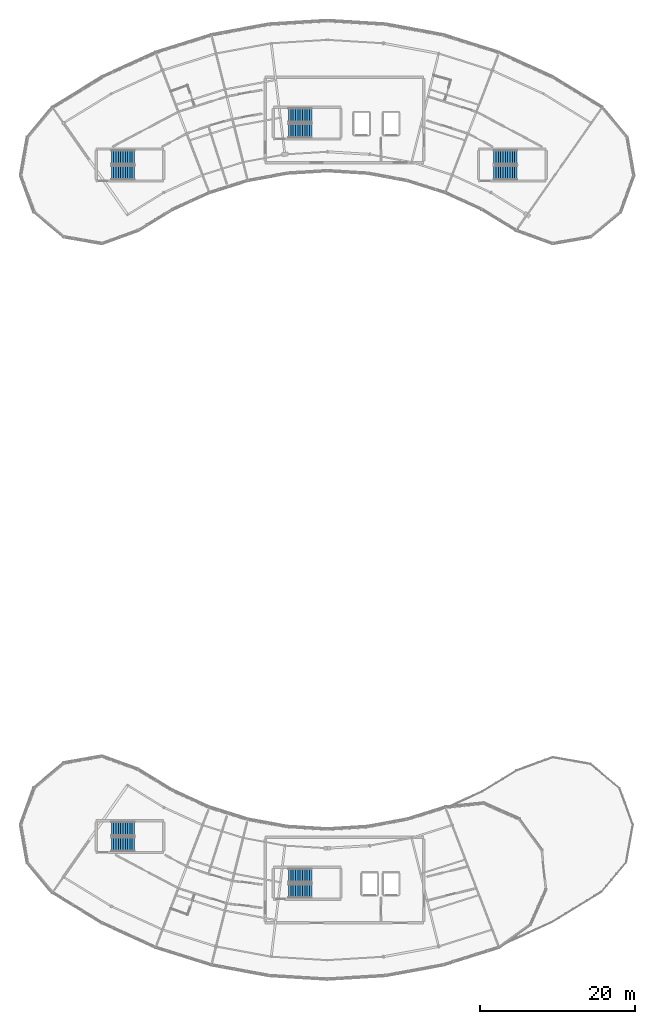
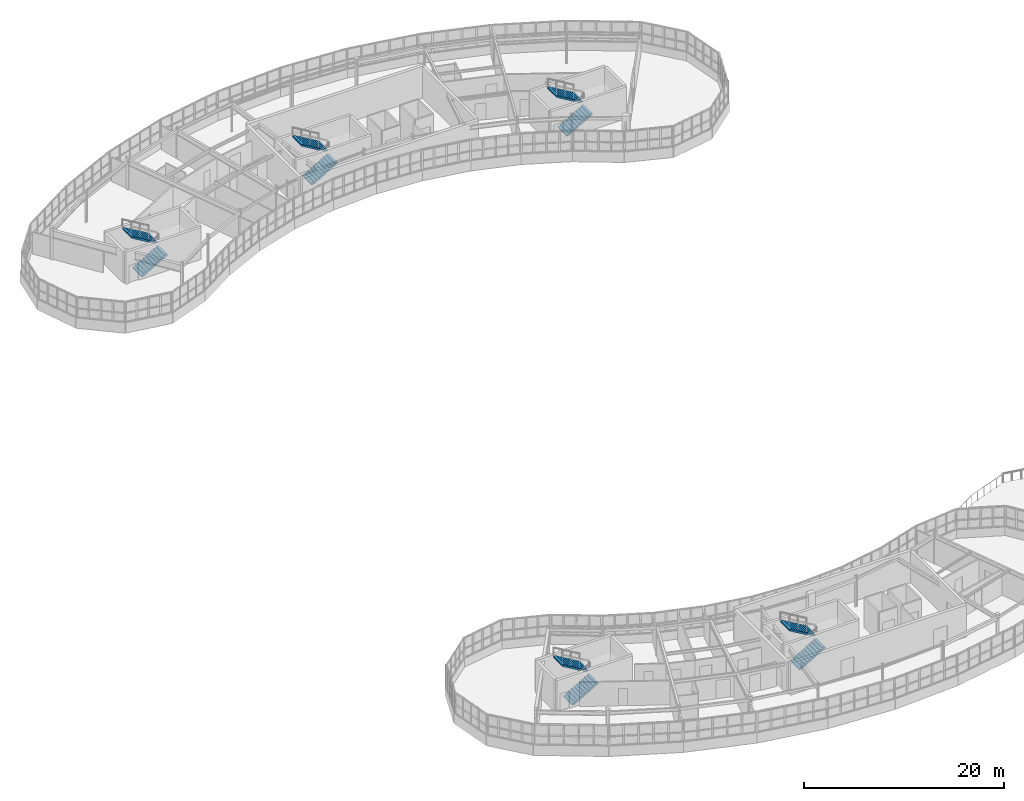
# One storey, part 57 of 65: 10 stair flights, 5 elements without a shape of their own.
"""IFC4 building model written with IfcOpenShell, lengths in metres."""

from ifc_helpers import new_model, si_unit, direction, frame, origin, place, context, subcontext, project, spatial, polyline, outline, extrude, material, type_object, element, aggregate, save


model = new_model("IFC4")

# Units and contexts
model_context = context("Model", 3, precision=1e-05, world=origin(), true_north=direction((0.0, 1.0)))
body_context = subcontext(model_context, "Body", "Model", "MODEL_VIEW")
ifc_project = project(units=[si_unit("LENGTHUNIT", "METRE"), si_unit("AREAUNIT", "SQUARE_METRE"), si_unit("VOLUMEUNIT", "CUBIC_METRE"), si_unit("PLANEANGLEUNIT", "RADIAN"), si_unit("MASSUNIT", "GRAM", prefix="KILO")], contexts=[model_context])

# Site, building, storey
site_placement = place(None, origin())
site = spatial("IfcSite", under=ifc_project, at=site_placement, CompositionType="ELEMENT")
building_placement = place(site_placement, origin())
building = spatial("IfcBuilding", under=site, at=building_placement, Name="Tarnwether General Hospital", CompositionType="ELEMENT")
storey_placement = place(building_placement, frame((0.0, 0.0, 22.199951171875)))
storey = spatial("IfcBuildingStorey", under=building, at=storey_placement, Name="L05", CompositionType="ELEMENT", Elevation=22.199951171875)

# Stair, stair flights
ifc_material_1 = material(Name="Concrete 40 MPa", Category="concrete")
stair_type_1 = type_object("IfcStairType", Name="ST-DL39A", PredefinedType="HALF_TURN_STAIR", material=ifc_material_1)
stair_1_placement = place(storey_placement, origin())
stair_1 = element("IfcStair", 1, at=stair_1_placement, inside=storey, type_object=stair_type_1, Name="L05 Exit Stair ST-01", PredefinedType="HALF_TURN_STAIR")
ifc_material_2 = material(Name="Concrete 40 MPa", Category="concrete")
stair_flight_type_1 = type_object("IfcStairFlightType", Name="SF-39A", PredefinedType="STRAIGHT", material=ifc_material_2)
stair_flight_1_placement = place(storey_placement, frame((87.0, 110.5, 0.0), z_axis=(0.0, 0.0, 1.0), x_axis=(1.0, 0.0, 0.0)))
stair_flight_1 = element("IfcStairFlight", 2, at=stair_flight_1_placement, type_object=stair_flight_type_1, Name="ST-01 flight 1", NumberOfRisers=11, NumberOfTreads=10, PredefinedType="STRAIGHT", RiserHeight=0.177272727, TreadLength=0.3, context=body_context, shape_type="SweptSolid", body=[
    extrude(outline(polyline([(0.0, 0.0), (0.0, 0.17724609375), (0.300048828125, 0.17724609375), (0.300048828125, 0.3544921875), (0.60009765625, 0.3544921875), (0.60009765625, 0.53173828125), (0.89990234375, 0.53173828125), (0.89990234375, 0.708984375), (1.199951171875, 0.708984375), (1.199951171875, 0.886474609375), (1.5, 0.886474609375), (1.5, 1.063720703125), (1.800048828125, 1.063720703125), (1.800048828125, 1.240966796875), (2.10009765625, 1.240966796875), (2.10009765625, 1.418212890625), (2.39990234375, 1.418212890625), (2.39990234375, 1.595458984375), (2.699951171875, 1.595458984375), (2.699951171875, 1.772705078125), (3.0, 1.772705078125), (3.0, 1.949951171875), (3.0, 1.5986328125), (0.294677734375, 0.0), (0.0, 0.0)])), frame((0.0, 0.89990234375, 0.0), z_axis=(0.0, -1.0, 0.0), x_axis=(1.0, 0.0, 0.0)), (0.0, 0.0, 1.0), 1.800048828125),
])
stair_flight_2_placement = place(storey_placement, frame((90.0, 112.5, 1.949951171875), z_axis=(0.0, 0.0, 1.0), x_axis=(-1.0, 0.0, 0.0)))
stair_flight_2 = element("IfcStairFlight", 3, at=stair_flight_2_placement, type_object=stair_flight_type_1, Name="ST-01 flight 2", NumberOfRisers=11, NumberOfTreads=10, PredefinedType="STRAIGHT", RiserHeight=0.177272727, TreadLength=0.3, context=body_context, shape_type="SweptSolid", body=[
    extrude(outline(polyline([(0.0, 0.0), (0.0, 0.17724609375), (0.300048828125, 0.17724609375), (0.300048828125, 0.3544921875), (0.60009765625, 0.3544921875), (0.60009765625, 0.53173828125), (0.89990234375, 0.53173828125), (0.89990234375, 0.708984375), (1.199951171875, 0.708984375), (1.199951171875, 0.886474609375), (1.5, 0.886474609375), (1.5, 1.063720703125), (1.800048828125, 1.063720703125), (1.800048828125, 1.240966796875), (2.10009765625, 1.240966796875), (2.10009765625, 1.418212890625), (2.39990234375, 1.418212890625), (2.39990234375, 1.595458984375), (2.699951171875, 1.595458984375), (2.699951171875, 1.772705078125), (3.0, 1.772705078125), (3.0, 1.949951171875), (3.0, 1.5986328125), (0.294677734375, 0.0), (0.0, 0.0)])), frame((0.0, 0.89990234375, 0.0), z_axis=(0.0, -1.0, 0.0), x_axis=(1.0, 0.0, 0.0)), (0.0, 0.0, 1.0), 1.800048828125),
])
aggregate(stair_1, [stair_flight_1, stair_flight_2])

stair_2_placement = place(storey_placement, origin())
stair_2 = element("IfcStair", 4, at=stair_2_placement, inside=storey, type_object=stair_type_1, Name="L05 Exit Stair ST-07", PredefinedType="HALF_TURN_STAIR")
stair_flight_3_placement = place(storey_placement, frame((64.199951171875, 105.10009765625, 0.0), z_axis=(0.0, 0.0, 1.0), x_axis=(1.0, 0.0, 0.0)))
stair_flight_3 = element("IfcStairFlight", 5, at=stair_flight_3_placement, type_object=stair_flight_type_1, Name="ST-07 flight 1", NumberOfRisers=11, NumberOfTreads=10, PredefinedType="STRAIGHT", RiserHeight=0.177272727, TreadLength=0.3, context=body_context, shape_type="SweptSolid", body=[
    extrude(outline(polyline([(0.0, 0.0), (0.0, 0.17724609375), (0.300048828125, 0.17724609375), (0.300048828125, 0.3544921875), (0.60009765625, 0.3544921875), (0.60009765625, 0.53173828125), (0.89990234375, 0.53173828125), (0.89990234375, 0.708984375), (1.199951171875, 0.708984375), (1.199951171875, 0.886474609375), (1.5, 0.886474609375), (1.5, 1.063720703125), (1.800048828125, 1.063720703125), (1.800048828125, 1.240966796875), (2.10009765625, 1.240966796875), (2.10009765625, 1.418212890625), (2.39990234375, 1.418212890625), (2.39990234375, 1.595458984375), (2.699951171875, 1.595458984375), (2.699951171875, 1.772705078125), (3.0, 1.772705078125), (3.0, 1.949951171875), (3.0, 1.5986328125), (0.294677734375, 0.0), (0.0, 0.0)])), frame((0.0, 0.89990234375, 0.0), z_axis=(0.0, -1.0, 0.0), x_axis=(1.0, 0.0, 0.0)), (0.0, 0.0, 1.0), 1.800048828125),
])
stair_flight_4_placement = place(storey_placement, frame((67.199951171875, 107.10009765625, 1.949951171875), z_axis=(0.0, 0.0, 1.0), x_axis=(-1.0, 0.0, 0.0)))
stair_flight_4 = element("IfcStairFlight", 6, at=stair_flight_4_placement, type_object=stair_flight_type_1, Name="ST-07 flight 2", NumberOfRisers=11, NumberOfTreads=10, PredefinedType="STRAIGHT", RiserHeight=0.177272727, TreadLength=0.3, context=body_context, shape_type="SweptSolid", body=[
    extrude(outline(polyline([(0.0, 0.0), (0.0, 0.17724609375), (0.300048828125, 0.17724609375), (0.300048828125, 0.3544921875), (0.60009765625, 0.3544921875), (0.60009765625, 0.53173828125), (0.89990234375, 0.53173828125), (0.89990234375, 0.708984375), (1.199951171875, 0.708984375), (1.199951171875, 0.886474609375), (1.5, 0.886474609375), (1.5, 1.063720703125), (1.800048828125, 1.063720703125), (1.800048828125, 1.240966796875), (2.10009765625, 1.240966796875), (2.10009765625, 1.418212890625), (2.39990234375, 1.418212890625), (2.39990234375, 1.595458984375), (2.699951171875, 1.595458984375), (2.699951171875, 1.772705078125), (3.0, 1.772705078125), (3.0, 1.949951171875), (3.0, 1.5986328125), (0.294677734375, 0.0), (0.0, 0.0)])), frame((0.0, 0.89990234375, 0.0), z_axis=(0.0, -1.0, 0.0), x_axis=(1.0, 0.0, 0.0)), (0.0, 0.0, 1.0), 1.800048828125),
])
aggregate(stair_2, [stair_flight_3, stair_flight_4])

stair_3_placement = place(storey_placement, origin())
stair_3 = element("IfcStair", 7, at=stair_3_placement, inside=storey, type_object=stair_type_1, Name="L05 Exit Stair ST-09", PredefinedType="HALF_TURN_STAIR")
stair_flight_5_placement = place(storey_placement, frame((64.199951171875, 18.699951171875, 0.0), z_axis=(0.0, 0.0, 1.0), x_axis=(1.0, 0.0, 0.0)))
stair_flight_5 = element("IfcStairFlight", 8, at=stair_flight_5_placement, type_object=stair_flight_type_1, Name="ST-09 flight 1", NumberOfRisers=11, NumberOfTreads=10, PredefinedType="STRAIGHT", RiserHeight=0.177272727, TreadLength=0.3, context=body_context, shape_type="SweptSolid", body=[
    extrude(outline(polyline([(0.0, 0.0), (0.0, 0.17724609375), (0.300048828125, 0.17724609375), (0.300048828125, 0.3544921875), (0.60009765625, 0.3544921875), (0.60009765625, 0.53173828125), (0.89990234375, 0.53173828125), (0.89990234375, 0.708984375), (1.199951171875, 0.708984375), (1.199951171875, 0.886474609375), (1.5, 0.886474609375), (1.5, 1.063720703125), (1.800048828125, 1.063720703125), (1.800048828125, 1.240966796875), (2.10009765625, 1.240966796875), (2.10009765625, 1.418212890625), (2.39990234375, 1.418212890625), (2.39990234375, 1.595458984375), (2.699951171875, 1.595458984375), (2.699951171875, 1.772705078125), (3.0, 1.772705078125), (3.0, 1.949951171875), (3.0, 1.5986328125), (0.294677734375, 0.0), (0.0, 0.0)])), frame((0.0, 0.89990234375, 0.0), z_axis=(0.0, -1.0, 0.0), x_axis=(1.0, 0.0, 0.0)), (0.0, 0.0, 1.0), 1.800048828125),
])
stair_flight_6_placement = place(storey_placement, frame((67.199951171875, 20.699951171875, 1.949951171875), z_axis=(0.0, 0.0, 1.0), x_axis=(-1.0, 0.0, 0.0)))
stair_flight_6 = element("IfcStairFlight", 9, at=stair_flight_6_placement, type_object=stair_flight_type_1, Name="ST-09 flight 2", NumberOfRisers=11, NumberOfTreads=10, PredefinedType="STRAIGHT", RiserHeight=0.177272727, TreadLength=0.3, context=body_context, shape_type="SweptSolid", body=[
    extrude(outline(polyline([(0.0, 0.0), (0.0, 0.17724609375), (0.300048828125, 0.17724609375), (0.300048828125, 0.3544921875), (0.60009765625, 0.3544921875), (0.60009765625, 0.53173828125), (0.89990234375, 0.53173828125), (0.89990234375, 0.708984375), (1.199951171875, 0.708984375), (1.199951171875, 0.886474609375), (1.5, 0.886474609375), (1.5, 1.063720703125), (1.800048828125, 1.063720703125), (1.800048828125, 1.240966796875), (2.10009765625, 1.240966796875), (2.10009765625, 1.418212890625), (2.39990234375, 1.418212890625), (2.39990234375, 1.595458984375), (2.699951171875, 1.595458984375), (2.699951171875, 1.772705078125), (3.0, 1.772705078125), (3.0, 1.949951171875), (3.0, 1.5986328125), (0.294677734375, 0.0), (0.0, 0.0)])), frame((0.0, 0.89990234375, 0.0), z_axis=(0.0, -1.0, 0.0), x_axis=(1.0, 0.0, 0.0)), (0.0, 0.0, 1.0), 1.800048828125),
])
aggregate(stair_3, [stair_flight_5, stair_flight_6])

ifc_material_3 = material(Name="Concrete 40 MPa", Category="concrete")
stair_type_2 = type_object("IfcStairType", Name="ST-DL39B", PredefinedType="HALF_TURN_STAIR", material=ifc_material_3)
stair_4_placement = place(storey_placement, origin())
stair_4 = element("IfcStair", 10, at=stair_4_placement, inside=storey, type_object=stair_type_2, Name="L05 Exit Stair ST-02", PredefinedType="HALF_TURN_STAIR")
ifc_material_4 = material(Name="Concrete 40 MPa", Category="concrete")
stair_flight_type_2 = type_object("IfcStairFlightType", Name="SF-39B", PredefinedType="STRAIGHT", material=ifc_material_4)
stair_flight_7_placement = place(storey_placement, frame((87.0, 12.699951171875, 0.0), z_axis=(0.0, 0.0, 1.0), x_axis=(1.0, 0.0, 0.0)))
stair_flight_7 = element("IfcStairFlight", 11, at=stair_flight_7_placement, type_object=stair_flight_type_2, Name="ST-02 flight 1", NumberOfRisers=11, NumberOfTreads=10, PredefinedType="STRAIGHT", RiserHeight=0.177272727, TreadLength=0.3, context=body_context, shape_type="SweptSolid", body=[
    extrude(outline(polyline([(0.0, 0.0), (0.0, 0.17724609375), (0.300048828125, 0.17724609375), (0.300048828125, 0.3544921875), (0.60009765625, 0.3544921875), (0.60009765625, 0.53173828125), (0.89990234375, 0.53173828125), (0.89990234375, 0.708984375), (1.199951171875, 0.708984375), (1.199951171875, 0.886474609375), (1.5, 0.886474609375), (1.5, 1.063720703125), (1.800048828125, 1.063720703125), (1.800048828125, 1.240966796875), (2.10009765625, 1.240966796875), (2.10009765625, 1.418212890625), (2.39990234375, 1.418212890625), (2.39990234375, 1.595458984375), (2.699951171875, 1.595458984375), (2.699951171875, 1.772705078125), (3.0, 1.772705078125), (3.0, 1.949951171875), (3.0, 1.5986328125), (0.294677734375, 0.0), (0.0, 0.0)])), frame((0.0, 0.89990234375, 0.0), z_axis=(0.0, -1.0, 0.0), x_axis=(1.0, 0.0, 0.0)), (0.0, 0.0, 1.0), 1.800048828125),
])
stair_flight_8_placement = place(storey_placement, frame((90.0, 14.699951171875, 1.949951171875), z_axis=(0.0, 0.0, 1.0), x_axis=(-1.0, 0.0, 0.0)))
stair_flight_8 = element("IfcStairFlight", 12, at=stair_flight_8_placement, type_object=stair_flight_type_2, Name="ST-02 flight 2", NumberOfRisers=11, NumberOfTreads=10, PredefinedType="STRAIGHT", RiserHeight=0.177272727, TreadLength=0.3, context=body_context, shape_type="SweptSolid", body=[
    extrude(outline(polyline([(0.0, 0.0), (0.0, 0.17724609375), (0.300048828125, 0.17724609375), (0.300048828125, 0.3544921875), (0.60009765625, 0.3544921875), (0.60009765625, 0.53173828125), (0.89990234375, 0.53173828125), (0.89990234375, 0.708984375), (1.199951171875, 0.708984375), (1.199951171875, 0.886474609375), (1.5, 0.886474609375), (1.5, 1.063720703125), (1.800048828125, 1.063720703125), (1.800048828125, 1.240966796875), (2.10009765625, 1.240966796875), (2.10009765625, 1.418212890625), (2.39990234375, 1.418212890625), (2.39990234375, 1.595458984375), (2.699951171875, 1.595458984375), (2.699951171875, 1.772705078125), (3.0, 1.772705078125), (3.0, 1.949951171875), (3.0, 1.5986328125), (0.294677734375, 0.0), (0.0, 0.0)])), frame((0.0, 0.89990234375, 0.0), z_axis=(0.0, -1.0, 0.0), x_axis=(1.0, 0.0, 0.0)), (0.0, 0.0, 1.0), 1.800048828125),
])
aggregate(stair_4, [stair_flight_7, stair_flight_8])

stair_5_placement = place(storey_placement, origin())
stair_5 = element("IfcStair", 13, at=stair_5_placement, inside=storey, type_object=stair_type_2, Name="L05 Exit Stair ST-08", PredefinedType="HALF_TURN_STAIR")
stair_flight_9_placement = place(storey_placement, frame((113.39990234375, 105.10009765625, 0.0), z_axis=(0.0, 0.0, 1.0), x_axis=(1.0, 0.0, 0.0)))
stair_flight_9 = element("IfcStairFlight", 14, at=stair_flight_9_placement, type_object=stair_flight_type_2, Name="ST-08 flight 1", NumberOfRisers=11, NumberOfTreads=10, PredefinedType="STRAIGHT", RiserHeight=0.177272727, TreadLength=0.3, context=body_context, shape_type="SweptSolid", body=[
    extrude(outline(polyline([(0.0, 0.0), (0.0, 0.17724609375), (0.300048828125, 0.17724609375), (0.300048828125, 0.3544921875), (0.60009765625, 0.3544921875), (0.60009765625, 0.53173828125), (0.89990234375, 0.53173828125), (0.89990234375, 0.708984375), (1.199951171875, 0.708984375), (1.199951171875, 0.886474609375), (1.5, 0.886474609375), (1.5, 1.063720703125), (1.800048828125, 1.063720703125), (1.800048828125, 1.240966796875), (2.10009765625, 1.240966796875), (2.10009765625, 1.418212890625), (2.39990234375, 1.418212890625), (2.39990234375, 1.595458984375), (2.699951171875, 1.595458984375), (2.699951171875, 1.772705078125), (3.0, 1.772705078125), (3.0, 1.949951171875), (3.0, 1.5986328125), (0.294677734375, 0.0), (0.0, 0.0)])), frame((0.0, 0.89990234375, 0.0), z_axis=(0.0, -1.0, 0.0), x_axis=(1.0, 0.0, 0.0)), (0.0, 0.0, 1.0), 1.800048828125),
])
stair_flight_10_placement = place(storey_placement, frame((116.39990234375, 107.10009765625, 1.949951171875), z_axis=(0.0, 0.0, 1.0), x_axis=(-1.0, 0.0, 0.0)))
stair_flight_10 = element("IfcStairFlight", 15, at=stair_flight_10_placement, type_object=stair_flight_type_2, Name="ST-08 flight 2", NumberOfRisers=11, NumberOfTreads=10, PredefinedType="STRAIGHT", RiserHeight=0.177272727, TreadLength=0.3, context=body_context, shape_type="SweptSolid", body=[
    extrude(outline(polyline([(0.0, 0.0), (0.0, 0.17724609375), (0.300048828125, 0.17724609375), (0.300048828125, 0.3544921875), (0.60009765625, 0.3544921875), (0.60009765625, 0.53173828125), (0.89990234375, 0.53173828125), (0.89990234375, 0.708984375), (1.199951171875, 0.708984375), (1.199951171875, 0.886474609375), (1.5, 0.886474609375), (1.5, 1.063720703125), (1.800048828125, 1.063720703125), (1.800048828125, 1.240966796875), (2.10009765625, 1.240966796875), (2.10009765625, 1.418212890625), (2.39990234375, 1.418212890625), (2.39990234375, 1.595458984375), (2.699951171875, 1.595458984375), (2.699951171875, 1.772705078125), (3.0, 1.772705078125), (3.0, 1.949951171875), (3.0, 1.5986328125), (0.294677734375, 0.0), (0.0, 0.0)])), frame((0.0, 0.89990234375, 0.0), z_axis=(0.0, -1.0, 0.0), x_axis=(1.0, 0.0, 0.0)), (0.0, 0.0, 1.0), 1.800048828125),
])
aggregate(stair_5, [stair_flight_9, stair_flight_10])

save(model, "model.ifc")
